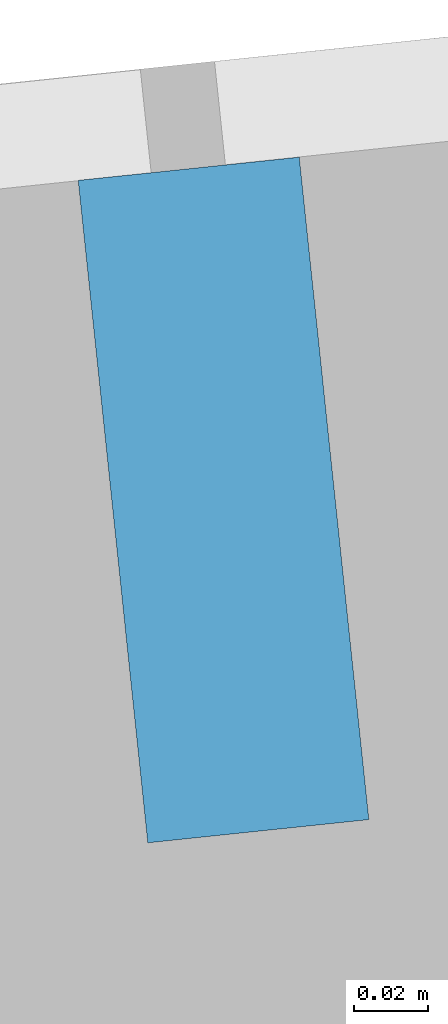
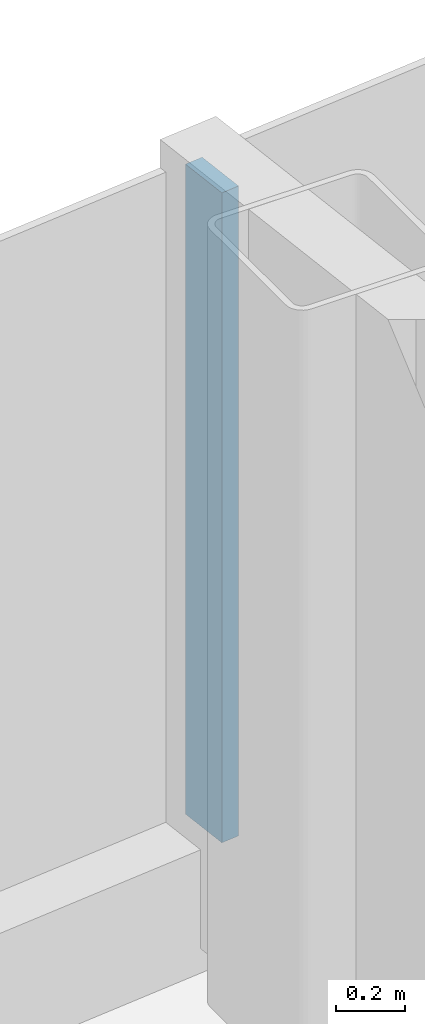
# One storey, part 9 of 27: 1 member, 1 element without a shape of its own.
"""IFC4 building model written with IfcOpenShell, lengths in metres."""

from ifc_helpers import new_model, si_unit, direction, frame, origin, origin_2d, place, context, subcontext, project, spatial, rectangle, extrude, material, layer, layer_set, material_profile, profile_set, type_object, element, aggregate, save


model = new_model("IFC4")

# Units and contexts
model_context = context("Model", 3, precision=1e-05, world=origin(), true_north=direction((0.0, 1.0)))
body_context = subcontext(model_context, "Body", "Model", "MODEL_VIEW")
ifc_project = project(units=[si_unit("LENGTHUNIT", "METRE"), si_unit("AREAUNIT", "SQUARE_METRE"), si_unit("VOLUMEUNIT", "CUBIC_METRE"), si_unit("PLANEANGLEUNIT", "RADIAN"), si_unit("MASSUNIT", "GRAM", prefix="KILO")], contexts=[model_context])

# Site, building, storey
site_placement = place(None, origin())
site = spatial("IfcSite", under=ifc_project, at=site_placement, CompositionType="ELEMENT")
building_placement = place(site_placement, origin())
building = spatial("IfcBuilding", under=site, at=building_placement, Name="Hakoniwa Tower and Hamabe Station Hall", CompositionType="ELEMENT")
storey_placement = place(building_placement, frame((0.0, 0.0, 239.0)))
storey = spatial("IfcBuildingStorey", under=building, at=storey_placement, Name="L67", CompositionType="ELEMENT", Elevation=239.0)

# Curtain wall, member
ifc_material_1 = material(Name="Dark low-e laminated glass", Category="glass")
ifc_layer = layer(ifc_material_1, 0.199951171875)
ifc_layer_set = layer_set([ifc_layer], Name="CW-1 UNITISED GUEST")
curtain_wall_type = type_object("IfcCurtainWallType", Name="CW-1 UNITISED GUEST", PredefinedType="NOTDEFINED", material=ifc_layer_set)
curtain_wall_placement = place(storey_placement, origin())
curtain_wall = element("IfcCurtainWall", 1, at=curtain_wall_placement, inside=storey, type_object=curtain_wall_type, Name="CW-1 curtain wall", PredefinedType="NOTDEFINED")
ifc_material_2 = material(Name="Aluminium 6063-T5 black anodised", Category="aluminium")
ifc_material_profile = material_profile(ifc_material_2, rectangle(XDim=0.06005859375, YDim=0.179931640625, at=origin_2d()), Name="CW-1 MULLION 60X180")
ifc_profile_set = profile_set([ifc_material_profile], Name="Aluminium 6063-T5 black anodised")
member_type = type_object("IfcMemberType", Name="CW-1 MULLION 60X180", PredefinedType="MULLION", material=ifc_profile_set)
member_placement = place(storey_placement, frame((-1.7958984375, 19.587890625, 0.35009765625), z_axis=(0.0, 0.0, 1.0), x_axis=(-0.994521895272, -0.104528464188, 0.0)))
member = element("IfcMember", 2, at=member_placement, type_object=member_type, Name="CW-1 mullion", PredefinedType="MULLION", context=body_context, shape_type="SweptSolid", body=[
    extrude(rectangle(XDim=0.06005859375, YDim=0.179931640625, at=origin_2d()), origin(), (0.0, 0.0, 1.0), 2.2998046875),
])
aggregate(curtain_wall, [member])

save(model, "model.ifc")
